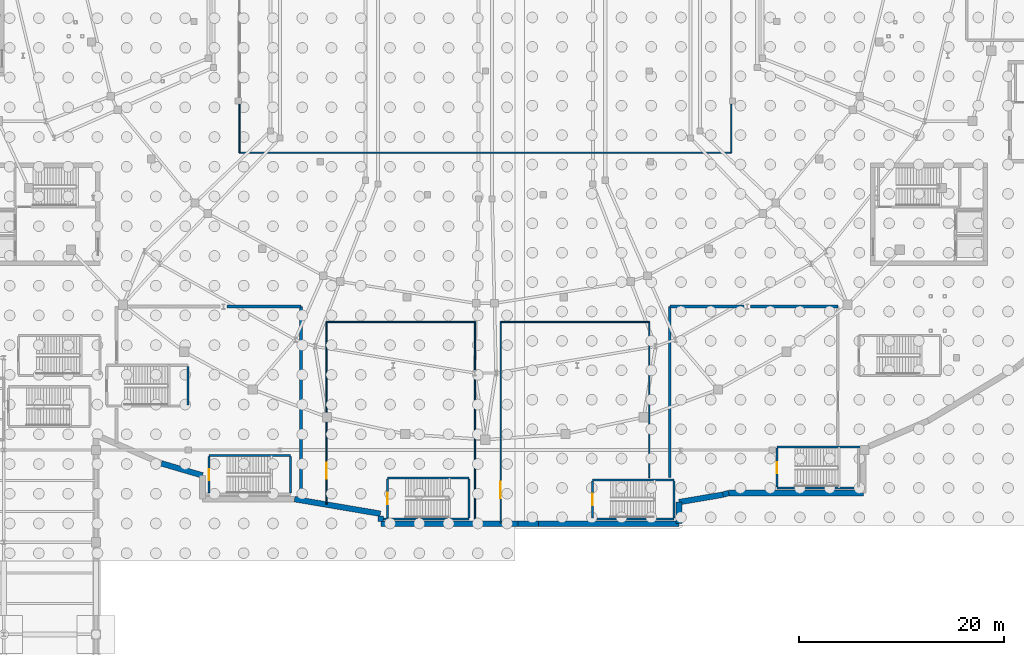
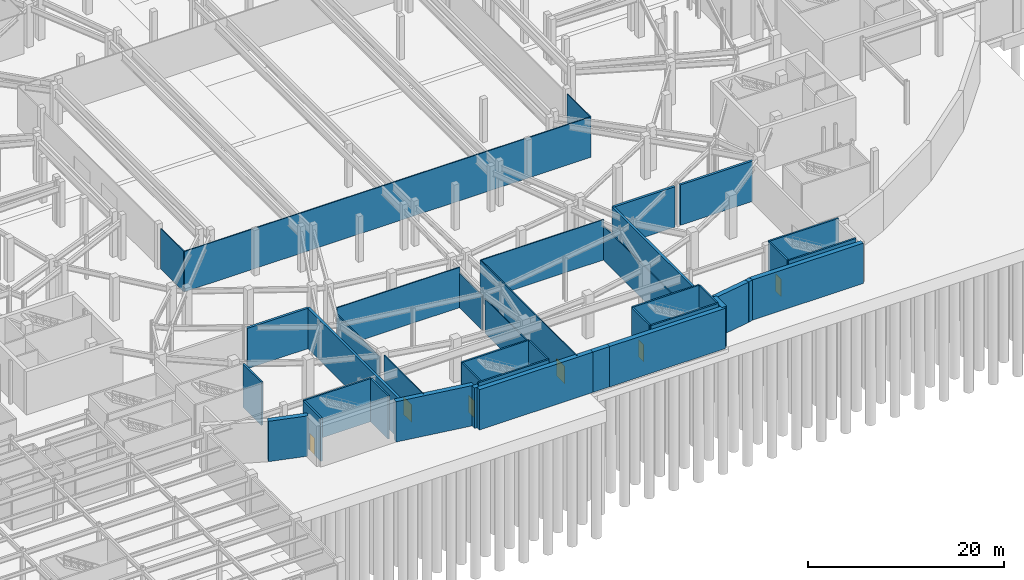
# One storey, part 43 of 56: 41 walls, 6 doors, 6 openings.
"""IFC4 building model written with IfcOpenShell, lengths in metres."""

from ifc_helpers import new_model, si_unit, direction, frame, frame_2d, origin, place, context, subcontext, project, spatial, rectangle, extrude, material, layer, layer_set, type_object, element, fill, save


model = new_model("IFC4")

# Units and contexts
model_context = context("Model", 3, precision=1e-05, world=origin(), true_north=direction((0.0, 1.0)))
body_context = subcontext(model_context, "Body", "Model", "MODEL_VIEW")
ifc_project = project(units=[si_unit("LENGTHUNIT", "METRE"), si_unit("AREAUNIT", "SQUARE_METRE"), si_unit("VOLUMEUNIT", "CUBIC_METRE"), si_unit("PLANEANGLEUNIT", "RADIAN"), si_unit("MASSUNIT", "GRAM", prefix="KILO")], contexts=[model_context])

# Site, building, storey
site_placement = place(None, origin())
site = spatial("IfcSite", under=ifc_project, at=site_placement, CompositionType="ELEMENT")
building_placement = place(site_placement, origin())
building = spatial("IfcBuilding", under=site, at=building_placement, Name="Glasvene Arena", CompositionType="ELEMENT")
storey_placement = place(building_placement, frame((0.0, 0.0, -5.39990234375)))
storey = spatial("IfcBuildingStorey", under=building, at=storey_placement, Name="B1", CompositionType="ELEMENT", Elevation=-5.39990234375)

# Walls
ifc_material_1 = material(Name="Lightweight gypsum metal-stud partition")
ifc_layer_1 = layer(ifc_material_1, 0.1201171875)
ifc_layer_set_1 = layer_set([ifc_layer_1], Name="Lightweight gypsum metal-stud partition")
wall_type_1 = type_object("IfcWallType", Name="WL-PART-120", PredefinedType="PARTITIONING", material=ifc_layer_set_1)
wall_1_placement = place(storey_placement, frame((116.0, 60.723388671875, 0.0), z_axis=(0.0, 0.0, 1.0), x_axis=(0.0, -1.0, 0.0)))
element("IfcWall", 1, at=wall_1_placement, inside=storey, type_object=wall_type_1, Name="Interior partition wall IW-B1-0004 (Event Floor Marshalling Hall)", PredefinedType="PARTITIONING", context=body_context, shape_type="SweptSolid", body=[
    extrude(rectangle(XDim=4.723388671875, YDim=0.1201171875, at=frame_2d((2.36181640625, 0.0))), origin(), (0.0, 0.0, 1.0), 5.039794921875),
])
wall_2_placement = place(storey_placement, frame((116.0, 56.0, 0.0), z_axis=(0.0, 0.0, 1.0), x_axis=(-1.0, 0.0, 0.0)))
element("IfcWall", 2, at=wall_2_placement, inside=storey, type_object=wall_type_1, Name="Interior partition wall IW-B1-0005 (Event Floor Marshalling Hall)", PredefinedType="PARTITIONING", context=body_context, shape_type="SweptSolid", body=[
    extrude(rectangle(XDim=48.0, YDim=0.1201171875, at=frame_2d((24.0, 0.0))), origin(), (0.0, 0.0, 1.0), 5.039794921875),
])
wall_3_placement = place(storey_placement, frame((68.0, 56.0, 0.0), z_axis=(0.0, 0.0, 1.0), x_axis=(0.0, 1.0, 0.0)))
element("IfcWall", 3, at=wall_3_placement, inside=storey, type_object=wall_type_1, Name="Interior partition wall IW-B1-0006 (Event Floor Marshalling Hall)", PredefinedType="PARTITIONING", context=body_context, shape_type="SweptSolid", body=[
    extrude(rectangle(XDim=4.723388671875, YDim=0.1201171875, at=frame_2d((2.36181640625, 0.0))), origin(), (0.0, 0.0, 1.0), 5.039794921875),
])

# Wall, opening, door
wall_4_placement = place(storey_placement, frame((76.5, 21.709716796875, 0.0), z_axis=(0.0, 0.0, 1.0), x_axis=(0.0, 1.0, 0.0)))
wall_4 = element("IfcWall", 4, at=wall_4_placement, inside=storey, type_object=wall_type_1, Name="Interior partition wall IW-B1-0018 (Sports Medical and Doping Control)", PredefinedType="PARTITIONING", context=body_context, shape_type="SweptSolid", body=[
    extrude(rectangle(XDim=8.038818359375, YDim=0.1201171875, at=frame_2d((4.01953125, 0.0))), origin(), (0.0, 0.0, 1.0), 5.039794921875),
])
opening_1_placement = place(wall_4_placement, frame((2.465087890625, 0.0, 0.0)))
opening_1 = element("IfcOpeningElement", 5, at=opening_1_placement, cuts=wall_4, Name="Opening D-02", PredefinedType="OPENING", context=body_context, shape_type="SweptSolid", body=[
    extrude(rectangle(XDim=1.60009765625, YDim=2.199951171875, at=frame_2d((0.800048828125, 1.10009765625))), frame((0.0, 0.070068359375, 0.0), z_axis=(0.0, -1.0, 0.0), x_axis=(1.0, 0.0, 0.0)), (0.0, 0.0, 1.0), 0.14013671875),
])
ifc_material_2 = material(Name="Painted fire-resisting steel", Category="steel")
door_type_1 = type_object("IfcDoorType", Name="DR-FD60-1600", OperationType="DOUBLE_DOOR_SINGLE_SWING", PredefinedType="DOOR", material=ifc_material_2)
door_1_placement = place(opening_1_placement, origin())
door_1 = element("IfcDoor", 6, at=door_1_placement, inside=storey, type_object=door_type_1, Name="Interior door DR-FD60-1600 (Sports Medical and Doping Control)", OperationType="DOUBLE_DOOR_SINGLE_SWING", OverallHeight=2.199951171875, OverallWidth=1.60009765625, PredefinedType="DOOR", context=body_context, shape_type="SweptSolid", body=[
    extrude(rectangle(XDim=1.60009765625, YDim=2.199951171875, at=frame_2d((0.800048828125, 1.10009765625))), frame((0.0, 0.02490234375, 0.0), z_axis=(0.0, -1.0, 0.0), x_axis=(1.0, 0.0, 0.0)), (0.0, 0.0, 1.0), 0.050048828125),
])
fill(opening_1, door_1)

# Walls
wall_5_placement = place(storey_placement, frame((76.5, 30.656494140625, 0.0), z_axis=(0.0, 0.0, 1.0), x_axis=(0.0, 1.0, 0.0)))
element("IfcWall", 7, at=wall_5_placement, inside=storey, type_object=wall_type_1, Name="Interior partition wall IW-B1-0019 (Sports Medical and Doping Control)", PredefinedType="PARTITIONING", context=body_context, shape_type="SweptSolid", body=[
    extrude(rectangle(XDim=8.843505859375, YDim=0.1201171875, at=frame_2d((4.421875, 0.0))), origin(), (0.0, 0.0, 1.0), 4.272705078125),
])
wall_6_placement = place(storey_placement, frame((76.5, 39.5, 0.0), z_axis=(0.0, 0.0, 1.0), x_axis=(1.0, 0.0, 0.0)))
element("IfcWall", 8, at=wall_6_placement, inside=storey, type_object=wall_type_1, Name="Interior partition wall IW-B1-0020 (Sports Medical and Doping Control)", PredefinedType="PARTITIONING", context=body_context, shape_type="SweptSolid", body=[
    extrude(rectangle(XDim=14.5, YDim=0.1201171875, at=frame_2d((7.25, 0.0))), origin(), (0.0, 0.0, 1.0), 5.039794921875),
])
wall_7_placement = place(storey_placement, frame((91.0, 39.5, 0.0), z_axis=(0.0, 0.0, 1.0), x_axis=(0.0, -1.0, 0.0)))
element("IfcWall", 9, at=wall_7_placement, inside=storey, type_object=wall_type_1, Name="Interior partition wall IW-B1-0021 (Sports Medical and Doping Control)", PredefinedType="PARTITIONING", context=body_context, shape_type="SweptSolid", body=[
    extrude(rectangle(XDim=4.714599609375, YDim=0.1201171875, at=frame_2d((2.357421875, 0.0))), origin(), (0.0, 0.0, 1.0), 4.350830078125),
])
wall_8_placement = place(storey_placement, frame((91.0, 34.234619140625, 0.0), z_axis=(0.0, 0.0, 1.0), x_axis=(0.0, -1.0, 0.0)))
element("IfcWall", 10, at=wall_8_placement, inside=storey, type_object=wall_type_1, Name="Interior partition wall IW-B1-0022 (Sports Medical and Doping Control)", PredefinedType="PARTITIONING", context=body_context, shape_type="SweptSolid", body=[
    extrude(rectangle(XDim=14.39453125, YDim=0.1201171875, at=frame_2d((7.197265625, 0.0))), origin(), (0.0, 0.0, 1.0), 4.272705078125),
])

# Wall, opening, door
wall_9_placement = place(storey_placement, frame((93.5, 19.840087890625, 0.0), z_axis=(0.0, 0.0, 1.0), x_axis=(0.0, 1.0, 0.0)))
wall_9 = element("IfcWall", 11, at=wall_9_placement, inside=storey, type_object=wall_type_1, Name="Interior partition wall IW-B1-0023 (Performers Green Room)", PredefinedType="PARTITIONING", context=body_context, shape_type="SweptSolid", body=[
    extrude(rectangle(XDim=19.659912109375, YDim=0.1201171875, at=frame_2d((9.830078125, 0.0))), origin(), (0.0, 0.0, 1.0), 5.039794921875),
])
opening_2_placement = place(wall_9_placement, frame((2.471923828125, 0.0, 0.0)))
opening_2 = element("IfcOpeningElement", 12, at=opening_2_placement, cuts=wall_9, Name="Opening D-02", PredefinedType="OPENING", context=body_context, shape_type="SweptSolid", body=[
    extrude(rectangle(XDim=1.60009765625, YDim=2.199951171875, at=frame_2d((0.800048828125, 1.10009765625))), frame((0.0, 0.070068359375, 0.0), z_axis=(0.0, -1.0, 0.0), x_axis=(1.0, 0.0, 0.0)), (0.0, 0.0, 1.0), 0.14013671875),
])
door_2_placement = place(opening_2_placement, origin())
door_2 = element("IfcDoor", 13, at=door_2_placement, inside=storey, type_object=door_type_1, Name="Interior door DR-FD60-1600 (Performers Green Room)", OperationType="DOUBLE_DOOR_SINGLE_SWING", OverallHeight=2.199951171875, OverallWidth=1.60009765625, PredefinedType="DOOR", context=body_context, shape_type="SweptSolid", body=[
    extrude(rectangle(XDim=1.60009765625, YDim=2.199951171875, at=frame_2d((0.800048828125, 1.10009765625))), frame((0.0, 0.02490234375, 0.0), z_axis=(0.0, -1.0, 0.0), x_axis=(1.0, 0.0, 0.0)), (0.0, 0.0, 1.0), 0.050048828125),
])
fill(opening_2, door_2)

# Walls
wall_10_placement = place(storey_placement, frame((93.5, 39.5, 0.0), z_axis=(0.0, 0.0, 1.0), x_axis=(1.0, 0.0, 0.0)))
element("IfcWall", 14, at=wall_10_placement, inside=storey, type_object=wall_type_1, Name="Interior partition wall IW-B1-0024 (Performers Green Room)", PredefinedType="PARTITIONING", context=body_context, shape_type="SweptSolid", body=[
    extrude(rectangle(XDim=14.5, YDim=0.1201171875, at=frame_2d((7.25, 0.0))), origin(), (0.0, 0.0, 1.0), 5.039794921875),
])
wall_11_placement = place(storey_placement, frame((108.0, 39.5, 0.0), z_axis=(0.0, 0.0, 1.0), x_axis=(0.0, -1.0, 0.0)))
element("IfcWall", 15, at=wall_11_placement, inside=storey, type_object=wall_type_1, Name="Interior partition wall IW-B1-0025 (Performers Green Room)", PredefinedType="PARTITIONING", context=body_context, shape_type="SweptSolid", body=[
    extrude(rectangle(XDim=15.199951171875, YDim=0.1201171875, at=frame_2d((7.60009765625, 0.0))), origin(), (0.0, 0.0, 1.0), 4.272705078125),
])
ifc_material_3 = material(Name="Concrete C40/50", Category="concrete")
ifc_layer_2 = layer(ifc_material_3, 0.550048828125)
ifc_layer_set_2 = layer_set([ifc_layer_2], Name="Concrete C40/50")
wall_type_2 = type_object("IfcWallType", Name="WL-RET-550", PredefinedType="SOLIDWALL", material=ifc_layer_set_2)
wall_12_placement = place(storey_placement, frame((128.89990234375, 22.800048828125, 0.0), z_axis=(0.0, 0.0, 1.0), x_axis=(-1.0, 0.0, 0.0)))
element("IfcWall", 16, at=wall_12_placement, inside=storey, type_object=wall_type_2, Name="Basement retaining wall B1-049", PredefinedType="SOLIDWALL", context=body_context, shape_type="SweptSolid", body=[
    extrude(rectangle(XDim=13.147216796875, YDim=0.550048828125, at=frame_2d((6.57373046875, 0.0))), origin(), (0.0, 0.0, 1.0), 5.039794921875),
])
wall_13_placement = place(storey_placement, frame((115.752685546875, 22.800048828125, 0.0), z_axis=(0.0, 0.0, 1.0), x_axis=(-0.959636475776, -0.281243372119, 0.0)))
element("IfcWall", 17, at=wall_13_placement, inside=storey, type_object=wall_type_2, Name="Basement retaining wall B1-050", PredefinedType="SOLIDWALL", context=body_context, shape_type="SweptSolid", body=[
    extrude(rectangle(XDim=0.572998046875, YDim=0.550048828125, at=frame_2d((0.28662109375, 0.0))), origin(), (0.0, 0.0, 1.0), 5.039794921875),
])
wall_14_placement = place(storey_placement, frame((115.202880859375, 22.638916015625, 0.0), z_axis=(0.0, 0.0, 1.0), x_axis=(-0.985867396806, -0.167527537783, 0.0)))
element("IfcWall", 18, at=wall_14_placement, inside=storey, type_object=wall_type_2, Name="Basement retaining wall B1-051", PredefinedType="SOLIDWALL", context=body_context, shape_type="SweptSolid", body=[
    extrude(rectangle(XDim=4.36474609375, YDim=0.550048828125, at=frame_2d((2.182373046875, 0.0))), origin(), (0.0, 0.0, 1.0), 5.039794921875),
])
wall_15_placement = place(storey_placement, frame((110.89990234375, 21.90771484375, 0.0), z_axis=(0.0, 0.0, 1.0), x_axis=(0.0, -1.0, 0.0)))
element("IfcWall", 19, at=wall_15_placement, inside=storey, type_object=wall_type_2, Name="Basement retaining wall B1-052", PredefinedType="SOLIDWALL", context=body_context, shape_type="SweptSolid", body=[
    extrude(rectangle(XDim=2.107666015625, YDim=0.550048828125, at=frame_2d((1.0537109375, 0.0))), origin(), (0.0, 0.0, 1.0), 5.039794921875),
])
wall_16_placement = place(storey_placement, frame((110.89990234375, 19.800048828125, 0.0), z_axis=(0.0, 0.0, 1.0), x_axis=(-1.0, 0.0, 0.0)))
element("IfcWall", 20, at=wall_16_placement, inside=storey, type_object=wall_type_2, Name="Basement retaining wall B1-053", PredefinedType="SOLIDWALL", context=body_context, shape_type="SweptSolid", body=[
    extrude(rectangle(XDim=13.699951171875, YDim=0.550048828125, at=frame_2d((6.85009765625, 0.0))), origin(), (0.0, 0.0, 1.0), 5.039794921875),
])
wall_17_placement = place(storey_placement, frame((97.199951171875, 19.800048828125, 0.0), z_axis=(0.0, 0.0, 1.0), x_axis=(-1.0, 0.0, 0.0)))
element("IfcWall", 21, at=wall_17_placement, inside=storey, type_object=wall_type_2, Name="Basement retaining wall B1-054", PredefinedType="SOLIDWALL", context=body_context, shape_type="SweptSolid", body=[
    extrude(rectangle(XDim=2.0, YDim=0.550048828125, at=frame_2d((1.0, 0.0))), origin(), (0.0, 0.0, 1.0), 5.039794921875),
])
wall_18_placement = place(storey_placement, frame((95.199951171875, 19.800048828125, 0.0), z_axis=(0.0, 0.0, 1.0), x_axis=(-1.0, 0.0, 0.0)))
element("IfcWall", 22, at=wall_18_placement, inside=storey, type_object=wall_type_2, Name="Basement retaining wall B1-055", PredefinedType="SOLIDWALL", context=body_context, shape_type="SweptSolid", body=[
    extrude(rectangle(XDim=13.39990234375, YDim=0.550048828125, at=frame_2d((6.699951171875, 0.0))), origin(), (0.0, 0.0, 1.0), 5.039794921875),
])
wall_19_placement = place(storey_placement, frame((81.800048828125, 20.02001953125, 0.0), z_axis=(0.0, 0.0, 1.0), x_axis=(0.0, 1.0, 0.0)))
element("IfcWall", 23, at=wall_19_placement, inside=storey, type_object=wall_type_2, Name="Basement retaining wall B1-056", PredefinedType="SOLIDWALL", context=body_context, shape_type="SweptSolid", body=[
    extrude(rectangle(XDim=0.53369140625, YDim=0.550048828125, at=frame_2d((0.266845703125, 0.0))), origin(), (0.0, 0.0, 1.0), 5.039794921875),
])
wall_20_placement = place(storey_placement, frame((81.76025390625, 20.77587890625, 0.0), z_axis=(0.0, 0.0, 1.0), x_axis=(-0.985868134206, 0.167523198264, 0.0)))
element("IfcWall", 24, at=wall_20_placement, inside=storey, type_object=wall_type_2, Name="Basement retaining wall B1-057", PredefinedType="SOLIDWALL", context=body_context, shape_type="SweptSolid", body=[
    extrude(rectangle(XDim=8.500732421875, YDim=0.550048828125, at=frame_2d((4.25048828125, 0.0))), origin(), (0.0, 0.0, 1.0), 5.039794921875),
])
wall_21_placement = place(storey_placement, frame((64.39990234375, 24.51416015625, 0.0), z_axis=(0.0, 0.0, 1.0), x_axis=(-0.959613893619, 0.281320413717, 0.0)))
element("IfcWall", 25, at=wall_21_placement, inside=storey, type_object=wall_type_2, Name="Basement retaining wall B1-060", PredefinedType="SOLIDWALL", context=body_context, shape_type="SweptSolid", body=[
    extrude(rectangle(XDim=4.188232421875, YDim=0.550048828125, at=frame_2d((2.09423828125, 0.0))), origin(), (0.0, 0.0, 1.0), 5.039794921875),
])

# Wall, opening, door
ifc_layer_3 = layer(ifc_material_3, 0.199951171875)
ifc_layer_set_3 = layer_set([ifc_layer_3], Name="Concrete C40/50")
wall_type_3 = type_object("IfcWallType", Name="WL-SHAFT-200", PredefinedType="SHEAR", material=ifc_layer_set_3)
wall_22_placement = place(storey_placement, frame((65.050048828125, 22.781982421875, 0.0), z_axis=(0.0, 0.0, 1.0), x_axis=(0.0, 1.0, 0.0)))
wall_22 = element("IfcWall", 26, at=wall_22_placement, inside=storey, type_object=wall_type_3, Name="Escape stair shaft wall ST-08 B1 W", PredefinedType="SHEAR", context=body_context, shape_type="SweptSolid", body=[
    extrude(rectangle(XDim=3.5859375, YDim=0.199951171875, at=frame_2d((1.79296875, 0.0))), origin(), (0.0, 0.0, 1.0), 5.39990234375),
])
opening_3_placement = place(wall_22_placement, frame((1.242919921875, 0.0, 0.0)))
opening_3 = element("IfcOpeningElement", 27, at=opening_3_placement, cuts=wall_22, Name="Opening D-04", PredefinedType="OPENING", context=body_context, shape_type="SweptSolid", body=[
    extrude(rectangle(XDim=1.10009765625, YDim=2.14990234375, at=frame_2d((0.550048828125, 1.074951171875))), frame((0.0, 0.10986328125, 0.0), z_axis=(0.0, -1.0, 0.0), x_axis=(1.0, 0.0, 0.0)), (0.0, 0.0, 1.0), 0.219970703125),
])
door_type_2 = type_object("IfcDoorType", Name="DR-FD60-1100", OperationType="NOTDEFINED", PredefinedType="DOOR", material=ifc_material_2)
door_3_placement = place(opening_3_placement, frame((1.10009765625, 0.0, 0.0), z_axis=(0.0, 0.0, 1.0), x_axis=(-1.0, 0.0, 0.0)))
door_3 = element("IfcDoor", 28, at=door_3_placement, inside=storey, type_object=door_type_2, Name="Protected escape stair door ST-08 B1", OperationType="SINGLE_SWING_RIGHT", OverallHeight=2.14990234375, OverallWidth=1.10009765625, PredefinedType="DOOR", context=body_context, shape_type="SweptSolid", body=[
    extrude(rectangle(XDim=1.10009765625, YDim=2.14990234375, at=frame_2d((0.550048828125, 1.074951171875))), frame((0.0, 0.02490234375, 0.0), z_axis=(0.0, -1.0, 0.0), x_axis=(1.0, 0.0, 0.0)), (0.0, 0.0, 1.0), 0.050048828125),
])
fill(opening_3, door_3)

# Walls
wall_23_placement = place(storey_placement, frame((73.0, 22.781982421875, 0.0), z_axis=(0.0, 0.0, 1.0), x_axis=(0.0, 1.0, 0.0)))
element("IfcWall", 29, at=wall_23_placement, inside=storey, type_object=wall_type_3, Name="Escape stair shaft wall ST-08 B1 E", PredefinedType="SHEAR", context=body_context, shape_type="SweptSolid", body=[
    extrude(rectangle(XDim=3.5859375, YDim=0.199951171875, at=frame_2d((1.79296875, 0.0))), origin(), (0.0, 0.0, 1.0), 5.39990234375),
])
for number, where, z_axis, x_axis, name in (
    (30, (65.050048828125, 26.469970703125, 0.0), (0.0, 0.0, 1.0), (1.0, 0.0, 0.0), "Escape stair shaft wall ST-08 B1 N"),
    (31, (102.449951171875, 20.280029296875, 0.0), (0.0, 0.0, 1.0), (1.0, 0.0, 0.0), "Escape stair shaft wall ST-09 B1 S"),
):
    element("IfcWall", number, at=place(storey_placement, frame(where, z_axis=z_axis, x_axis=x_axis)), inside=storey, type_object=wall_type_3, Name=name, PredefinedType="SHEAR", context=body_context, shape_type="SweptSolid", body=[
        extrude(rectangle(XDim=7.949951171875, YDim=0.199951171875, at=frame_2d((3.97509765625, 0.0))), origin(), (0.0, 0.0, 1.0), 5.39990234375),
    ])

# Wall, opening, door
wall_24_placement = place(storey_placement, frame((102.449951171875, 20.382080078125, 0.0), z_axis=(0.0, 0.0, 1.0), x_axis=(0.0, 1.0, 0.0)))
wall_24 = element("IfcWall", 32, at=wall_24_placement, inside=storey, type_object=wall_type_3, Name="Escape stair shaft wall ST-09 B1 W", PredefinedType="SHEAR", context=body_context, shape_type="SweptSolid", body=[
    extrude(rectangle(XDim=3.5859375, YDim=0.199951171875, at=frame_2d((1.79296875, 0.0))), origin(), (0.0, 0.0, 1.0), 5.39990234375),
])
opening_4_placement = place(wall_24_placement, frame((1.242919921875, 0.0, 0.0)))
opening_4 = element("IfcOpeningElement", 33, at=opening_4_placement, cuts=wall_24, Name="Opening D-04", PredefinedType="OPENING", context=body_context, shape_type="SweptSolid", body=[
    extrude(rectangle(XDim=1.10009765625, YDim=2.14990234375, at=frame_2d((0.550048828125, 1.074951171875))), frame((0.0, 0.10986328125, 0.0), z_axis=(0.0, -1.0, 0.0), x_axis=(1.0, 0.0, 0.0)), (0.0, 0.0, 1.0), 0.219970703125),
])
door_4_placement = place(opening_4_placement, frame((1.10009765625, 0.0, 0.0), z_axis=(0.0, 0.0, 1.0), x_axis=(-1.0, 0.0, 0.0)))
door_4 = element("IfcDoor", 34, at=door_4_placement, inside=storey, type_object=door_type_2, Name="Protected escape stair door ST-09 B1", OperationType="SINGLE_SWING_RIGHT", OverallHeight=2.14990234375, OverallWidth=1.10009765625, PredefinedType="DOOR", context=body_context, shape_type="SweptSolid", body=[
    extrude(rectangle(XDim=1.10009765625, YDim=2.14990234375, at=frame_2d((0.550048828125, 1.074951171875))), frame((0.0, 0.02490234375, 0.0), z_axis=(0.0, -1.0, 0.0), x_axis=(1.0, 0.0, 0.0)), (0.0, 0.0, 1.0), 0.050048828125),
])
fill(opening_4, door_4)

# Walls
wall_25_placement = place(storey_placement, frame((110.39990234375, 20.382080078125, 0.0), z_axis=(0.0, 0.0, 1.0), x_axis=(0.0, 1.0, 0.0)))
element("IfcWall", 35, at=wall_25_placement, inside=storey, type_object=wall_type_3, Name="Escape stair shaft wall ST-09 B1 E", PredefinedType="SHEAR", context=body_context, shape_type="SweptSolid", body=[
    extrude(rectangle(XDim=3.5859375, YDim=0.199951171875, at=frame_2d((1.79296875, 0.0))), origin(), (0.0, 0.0, 1.0), 5.39990234375),
])
wall_26_placement = place(storey_placement, frame((102.449951171875, 24.070068359375, 0.0), z_axis=(0.0, 0.0, 1.0), x_axis=(1.0, 0.0, 0.0)))
element("IfcWall", 36, at=wall_26_placement, inside=storey, type_object=wall_type_3, Name="Escape stair shaft wall ST-09 B1 N", PredefinedType="SHEAR", context=body_context, shape_type="SweptSolid", body=[
    extrude(rectangle(XDim=7.949951171875, YDim=0.199951171875, at=frame_2d((3.97509765625, 0.0))), origin(), (0.0, 0.0, 1.0), 5.39990234375),
])
wall_27_placement = place(storey_placement, frame((63.0, 31.382080078125, 0.0), z_axis=(0.0, 0.0, 1.0), x_axis=(0.0, 1.0, 0.0)))
element("IfcWall", 37, at=wall_27_placement, inside=storey, type_object=wall_type_3, Name="Escape stair shaft wall ST-B06 B1 E", PredefinedType="SHEAR", context=body_context, shape_type="SweptSolid", body=[
    extrude(rectangle(XDim=3.785888671875, YDim=0.199951171875, at=frame_2d((1.89306640625, 0.0))), origin(), (0.0, 0.0, 1.0), 5.39990234375),
])
wall_28_placement = place(storey_placement, frame((120.449951171875, 23.280029296875, 0.0), z_axis=(0.0, 0.0, 1.0), x_axis=(1.0, 0.0, 0.0)))
element("IfcWall", 38, at=wall_28_placement, inside=storey, type_object=wall_type_3, Name="Escape stair shaft wall ST-B07 B1 S", PredefinedType="SHEAR", context=body_context, shape_type="SweptSolid", body=[
    extrude(rectangle(XDim=7.949951171875, YDim=0.199951171875, at=frame_2d((3.97509765625, 0.0))), origin(), (0.0, 0.0, 1.0), 5.39990234375),
])

# Wall, opening, door
wall_29_placement = place(storey_placement, frame((120.449951171875, 23.382080078125, 0.0), z_axis=(0.0, 0.0, 1.0), x_axis=(0.0, 1.0, 0.0)))
wall_29 = element("IfcWall", 39, at=wall_29_placement, inside=storey, type_object=wall_type_3, Name="Escape stair shaft wall ST-B07 B1 W", PredefinedType="SHEAR", context=body_context, shape_type="SweptSolid", body=[
    extrude(rectangle(XDim=3.785888671875, YDim=0.199951171875, at=frame_2d((1.89306640625, 0.0))), origin(), (0.0, 0.0, 1.0), 5.39990234375),
])
opening_5_placement = place(wall_29_placement, frame((1.343017578125, 0.0, 0.0)))
opening_5 = element("IfcOpeningElement", 40, at=opening_5_placement, cuts=wall_29, Name="Opening D-04", PredefinedType="OPENING", context=body_context, shape_type="SweptSolid", body=[
    extrude(rectangle(XDim=1.10009765625, YDim=2.14990234375, at=frame_2d((0.550048828125, 1.074951171875))), frame((0.0, 0.10986328125, 0.0), z_axis=(0.0, -1.0, 0.0), x_axis=(1.0, 0.0, 0.0)), (0.0, 0.0, 1.0), 0.219970703125),
])
door_5_placement = place(opening_5_placement, frame((1.10009765625, 0.0, 0.0), z_axis=(0.0, 0.0, 1.0), x_axis=(-1.0, 0.0, 0.0)))
door_5 = element("IfcDoor", 41, at=door_5_placement, inside=storey, type_object=door_type_2, Name="Protected escape stair door ST-B07 B1", OperationType="SINGLE_SWING_RIGHT", OverallHeight=2.14990234375, OverallWidth=1.10009765625, PredefinedType="DOOR", context=body_context, shape_type="SweptSolid", body=[
    extrude(rectangle(XDim=1.10009765625, YDim=2.14990234375, at=frame_2d((0.550048828125, 1.074951171875))), frame((0.0, 0.02490234375, 0.0), z_axis=(0.0, -1.0, 0.0), x_axis=(1.0, 0.0, 0.0)), (0.0, 0.0, 1.0), 0.050048828125),
])
fill(opening_5, door_5)

# Walls
wall_30_placement = place(storey_placement, frame((120.449951171875, 27.27001953125, 0.0), z_axis=(0.0, 0.0, 1.0), x_axis=(1.0, 0.0, 0.0)))
element("IfcWall", 42, at=wall_30_placement, inside=storey, type_object=wall_type_3, Name="Escape stair shaft wall ST-B07 B1 N", PredefinedType="SHEAR", context=body_context, shape_type="SweptSolid", body=[
    extrude(rectangle(XDim=8.248046875, YDim=0.199951171875, at=frame_2d((4.1240234375, 0.0))), origin(), (0.0, 0.0, 1.0), 5.39990234375),
])
wall_31_placement = place(storey_placement, frame((82.076904296875, 20.280029296875, 0.0), z_axis=(0.0, 0.0, 1.0), x_axis=(1.0, 0.0, 0.0)))
element("IfcWall", 43, at=wall_31_placement, inside=storey, type_object=wall_type_3, Name="Escape stair shaft wall ST-B08 B1 S", PredefinedType="SHEAR", context=body_context, shape_type="SweptSolid", body=[
    extrude(rectangle(XDim=8.322998046875, YDim=0.199951171875, at=frame_2d((4.16162109375, 0.0))), origin(), (0.0, 0.0, 1.0), 5.39990234375),
])

# Wall, opening, door
wall_32_placement = place(storey_placement, frame((82.449951171875, 20.382080078125, 0.0), z_axis=(0.0, 0.0, 1.0), x_axis=(0.0, 1.0, 0.0)))
wall_32 = element("IfcWall", 44, at=wall_32_placement, inside=storey, type_object=wall_type_3, Name="Escape stair shaft wall ST-B08 B1 W", PredefinedType="SHEAR", context=body_context, shape_type="SweptSolid", body=[
    extrude(rectangle(XDim=3.785888671875, YDim=0.199951171875, at=frame_2d((1.89306640625, 0.0))), origin(), (0.0, 0.0, 1.0), 5.39990234375),
])
opening_6_placement = place(wall_32_placement, frame((1.343017578125, 0.0, 0.0)))
opening_6 = element("IfcOpeningElement", 45, at=opening_6_placement, cuts=wall_32, Name="Opening D-04", PredefinedType="OPENING", context=body_context, shape_type="SweptSolid", body=[
    extrude(rectangle(XDim=1.10009765625, YDim=2.14990234375, at=frame_2d((0.550048828125, 1.074951171875))), frame((0.0, 0.10986328125, 0.0), z_axis=(0.0, -1.0, 0.0), x_axis=(1.0, 0.0, 0.0)), (0.0, 0.0, 1.0), 0.219970703125),
])
door_6_placement = place(opening_6_placement, frame((1.10009765625, 0.0, 0.0), z_axis=(0.0, 0.0, 1.0), x_axis=(-1.0, 0.0, 0.0)))
door_6 = element("IfcDoor", 46, at=door_6_placement, inside=storey, type_object=door_type_2, Name="Protected escape stair door ST-B08 B1", OperationType="SINGLE_SWING_RIGHT", OverallHeight=2.14990234375, OverallWidth=1.10009765625, PredefinedType="DOOR", context=body_context, shape_type="SweptSolid", body=[
    extrude(rectangle(XDim=1.10009765625, YDim=2.14990234375, at=frame_2d((0.550048828125, 1.074951171875))), frame((0.0, 0.02490234375, 0.0), z_axis=(0.0, -1.0, 0.0), x_axis=(1.0, 0.0, 0.0)), (0.0, 0.0, 1.0), 0.050048828125),
])
fill(opening_6, door_6)

# Walls
wall_33_placement = place(storey_placement, frame((90.39990234375, 20.382080078125, 0.0), z_axis=(0.0, 0.0, 1.0), x_axis=(0.0, 1.0, 0.0)))
element("IfcWall", 47, at=wall_33_placement, inside=storey, type_object=wall_type_3, Name="Escape stair shaft wall ST-B08 B1 E", PredefinedType="SHEAR", context=body_context, shape_type="SweptSolid", body=[
    extrude(rectangle(XDim=3.785888671875, YDim=0.199951171875, at=frame_2d((1.89306640625, 0.0))), origin(), (0.0, 0.0, 1.0), 5.39990234375),
])
wall_34_placement = place(storey_placement, frame((82.449951171875, 24.27001953125, 0.0), z_axis=(0.0, 0.0, 1.0), x_axis=(1.0, 0.0, 0.0)))
element("IfcWall", 48, at=wall_34_placement, inside=storey, type_object=wall_type_3, Name="Escape stair shaft wall ST-B08 B1 N", PredefinedType="SHEAR", context=body_context, shape_type="SweptSolid", body=[
    extrude(rectangle(XDim=7.949951171875, YDim=0.199951171875, at=frame_2d((3.97509765625, 0.0))), origin(), (0.0, 0.0, 1.0), 5.39990234375),
])
ifc_material_4 = material(Name="Twin-frame acoustic gypsum partition")
ifc_layer_4 = layer(ifc_material_4, 0.280029296875)
ifc_layer_set_4 = layer_set([ifc_layer_4], Name="Twin-frame acoustic gypsum partition")
wall_type_4 = type_object("IfcWallType", Name="WL-STUDIO-280", PredefinedType="PARTITIONING", material=ifc_layer_set_4)
wall_35_placement = place(storey_placement, frame((66.765625, 41.0, 0.0), z_axis=(0.0, 0.0, 1.0), x_axis=(1.0, 0.0, 0.0)))
element("IfcWall", 49, at=wall_35_placement, inside=storey, type_object=wall_type_4, Name="Interior partition wall IW-B1-0012 (Home Team Athlete Changing)", PredefinedType="PARTITIONING", context=body_context, shape_type="SweptSolid", body=[
    extrude(rectangle(XDim=7.234375, YDim=0.280029296875, at=frame_2d((3.6171875, 0.0))), origin(), (0.0, 0.0, 1.0), 5.039794921875),
])
wall_36_placement = place(storey_placement, frame((74.0, 41.0, 0.0), z_axis=(0.0, 0.0, 1.0), x_axis=(0.0, -1.0, 0.0)))
element("IfcWall", 50, at=wall_36_placement, inside=storey, type_object=wall_type_4, Name="Interior partition wall IW-B1-0013 (Home Team Athlete Changing)", PredefinedType="PARTITIONING", context=body_context, shape_type="SweptSolid", body=[
    extrude(rectangle(XDim=18.865478515625, YDim=0.280029296875, at=frame_2d((9.4326171875, 0.0))), origin(), (0.0, 0.0, 1.0), 5.039794921875),
])
wall_37_placement = place(storey_placement, frame((110.0, 24.300048828125, 0.0), z_axis=(0.0, 0.0, 1.0), x_axis=(0.0, 1.0, 0.0)))
element("IfcWall", 51, at=wall_37_placement, inside=storey, type_object=wall_type_4, Name="Interior partition wall IW-B1-0014 (Visiting Team Athlete Changing)", PredefinedType="PARTITIONING", context=body_context, shape_type="SweptSolid", body=[
    extrude(rectangle(XDim=16.699951171875, YDim=0.280029296875, at=frame_2d((8.35009765625, 0.0))), origin(), (0.0, 0.0, 1.0), 5.039794921875),
])
wall_38_placement = place(storey_placement, frame((110.0, 41.0, 0.0), z_axis=(0.0, 0.0, 1.0), x_axis=(1.0, 0.0, 0.0)))
element("IfcWall", 52, at=wall_38_placement, inside=storey, type_object=wall_type_4, Name="Interior partition wall IW-B1-0015 (Visiting Team Athlete Changing)", PredefinedType="PARTITIONING", context=body_context, shape_type="SweptSolid", body=[
    extrude(rectangle(XDim=7.234375, YDim=0.280029296875, at=frame_2d((3.6171875, 0.0))), origin(), (0.0, 0.0, 1.0), 5.039794921875),
])
wall_39_placement = place(storey_placement, frame((117.8779296875, 41.0, 0.0), z_axis=(0.0, 0.0, 1.0), x_axis=(1.0, 0.0, 0.0)))
element("IfcWall", 53, at=wall_39_placement, inside=storey, type_object=wall_type_4, Name="Interior partition wall IW-B1-0016 (Visiting Team Athlete Changing)", PredefinedType="PARTITIONING", context=body_context, shape_type="SweptSolid", body=[
    extrude(rectangle(XDim=8.52197265625, YDim=0.280029296875, at=frame_2d((4.260986328125, 0.0))), origin(), (0.0, 0.0, 1.0), 5.039794921875),
])

save(model, "model.ifc")
